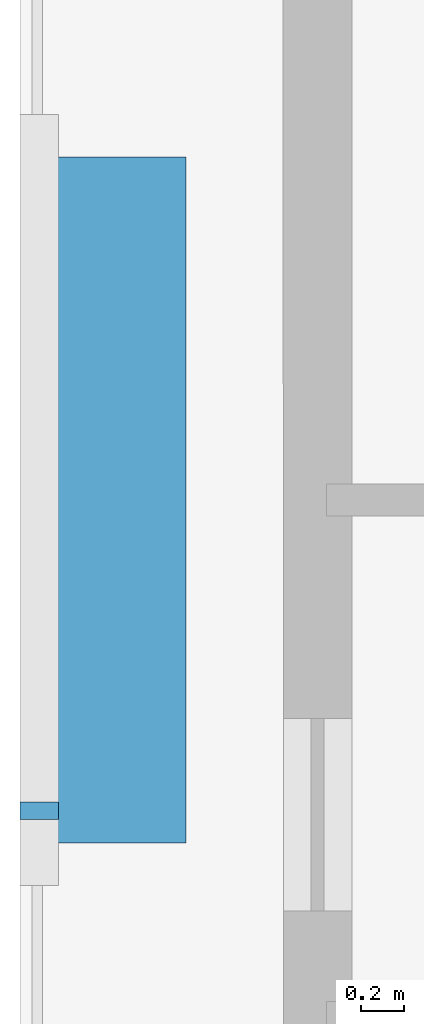
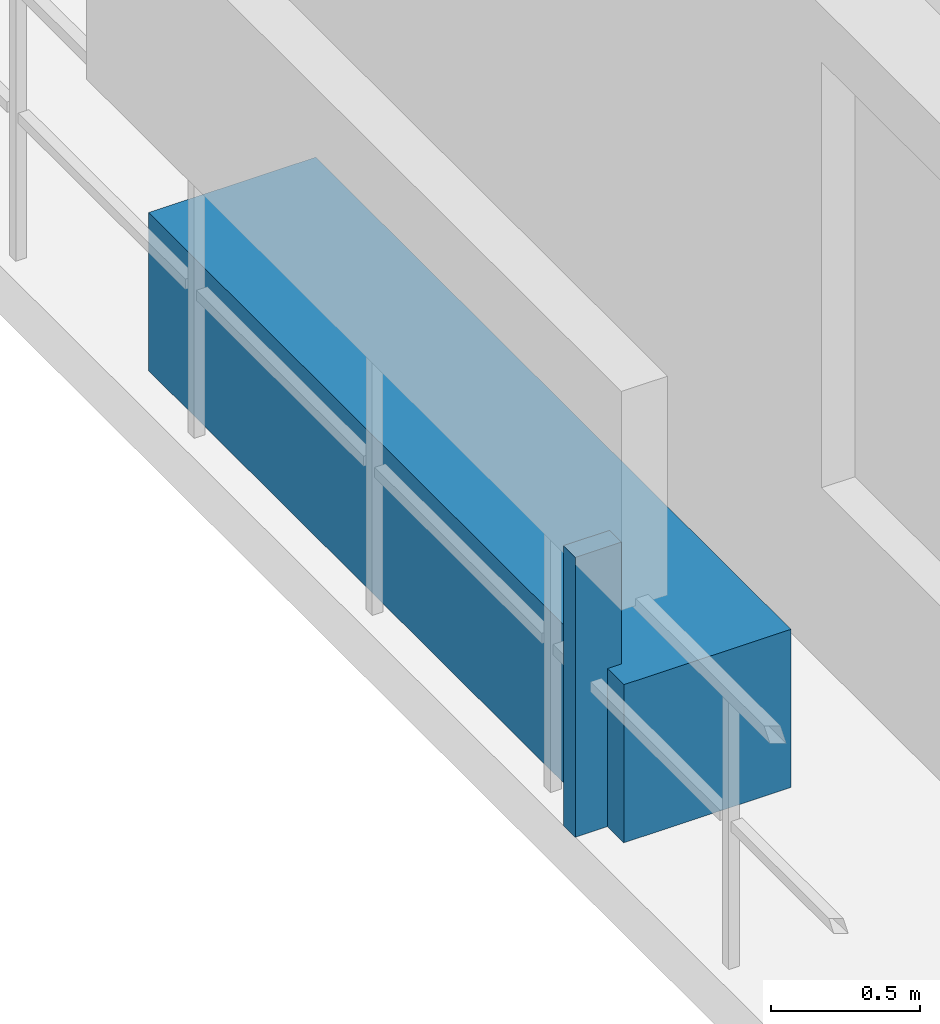
# One storey, part 27 of 32: 2 discrete accessories.
"""IFC4 building model written with IfcOpenShell, lengths in metres."""

from ifc_helpers import new_model, si_unit, direction, frame, origin, origin_2d, place, context, subcontext, project, spatial, rectangle, extrude, material, type_object, element, save


model = new_model("IFC4")

# Units and contexts
model_context = context("Model", 3, precision=1e-05, world=origin(), true_north=direction((0.0, 1.0)))
body_context = subcontext(model_context, "Body", "Model", "MODEL_VIEW")
ifc_project = project(units=[si_unit("LENGTHUNIT", "METRE"), si_unit("AREAUNIT", "SQUARE_METRE"), si_unit("VOLUMEUNIT", "CUBIC_METRE"), si_unit("PLANEANGLEUNIT", "RADIAN"), si_unit("MASSUNIT", "GRAM", prefix="KILO")], contexts=[model_context])

# Site, building, storey
site_placement = place(None, origin())
site = spatial("IfcSite", under=ifc_project, at=site_placement, CompositionType="ELEMENT")
building_placement = place(site_placement, origin())
building = spatial("IfcBuilding", under=site, at=building_placement, Name="Thornwick Lancets Civic Towers", CompositionType="ELEMENT")
storey_placement = place(building_placement, frame((0.0, 0.0, 247.5)))
storey = spatial("IfcBuildingStorey", under=building, at=storey_placement, Name="L66", CompositionType="ELEMENT", Elevation=247.5)

# Discrete accessories
ifc_material_1 = material(Name="Planted terracotta greenery planter", Category="masonry")
discrete_accessory_type_1 = type_object("IfcDiscreteAccessoryType", Name="ACC_PLANTER_BOX", PredefinedType="USERDEFINED", material=ifc_material_1)
discrete_accessory_1_placement = place(storey_placement, frame((0.800048828125, 27.0, 0.0), z_axis=(0.0, 0.0, 1.0), x_axis=(1.0, 0.0, 0.0)))
element("IfcDiscreteAccessory", 1, at=discrete_accessory_1_placement, inside=storey, type_object=discrete_accessory_type_1, Name="L66 Tower A Balcony Greenery Planter W", ObjectType="PLANTER", PredefinedType="USERDEFINED", context=body_context, shape_type="SweptSolid", body=[
    extrude(rectangle(XDim=0.64990234375, YDim=3.199951171875, at=origin_2d()), origin(), (0.0, 0.0, 1.0), 0.64990234375),
])
ifc_material_2 = material(Name="Stainless steel S355", Category="steel")
discrete_accessory_type_2 = type_object("IfcDiscreteAccessoryType", Name="ACC_SCREEN_BRACKET", PredefinedType="BRACKET", material=ifc_material_2)
discrete_accessory_2_placement = place(storey_placement, frame((0.43994140625, 25.550048828125, 0.0), z_axis=(0.0, 0.0, 1.0), x_axis=(0.0, 1.0, 0.0)))
element("IfcDiscreteAccessory", 2, at=discrete_accessory_2_placement, inside=storey, type_object=discrete_accessory_type_2, Name="L66 Tower A Balcony Screen Stanchion Bracket W-1", PredefinedType="BRACKET", context=body_context, shape_type="SweptSolid", body=[
    extrude(rectangle(XDim=0.080078125, YDim=0.179931640625, at=origin_2d()), origin(), (0.0, 0.0, 1.0), 1.14990234375),
])

save(model, "model.ifc")
